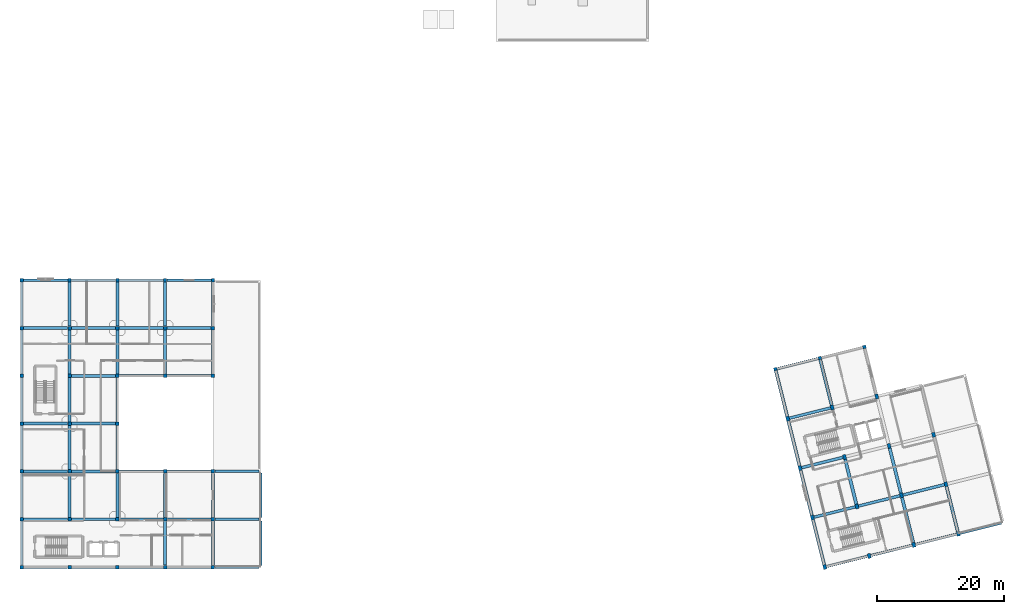
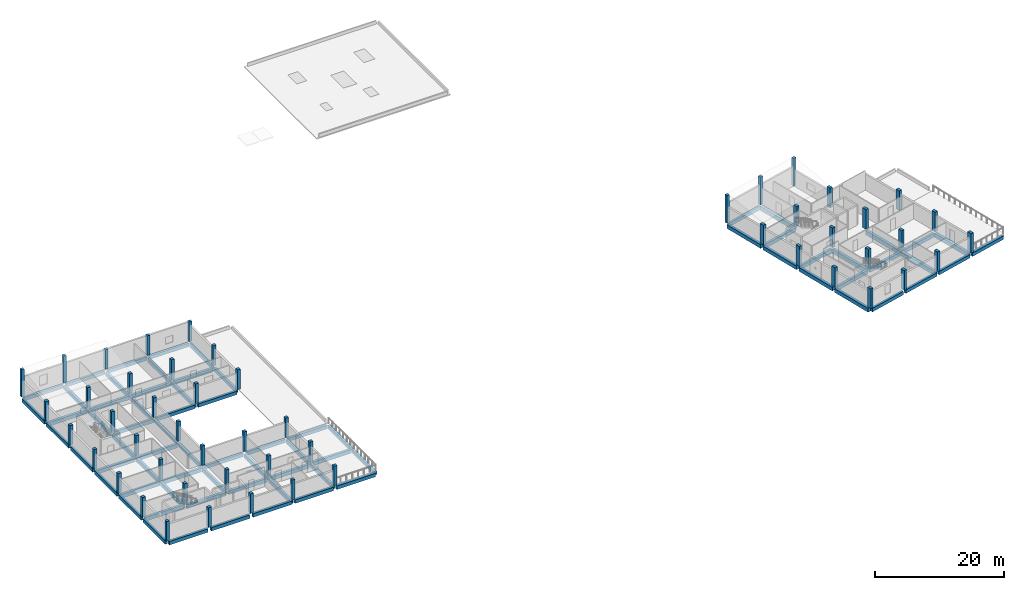
# One storey, part 1 of 14: 73 beams, 51 columns.
"""IFC4 building model written with IfcOpenShell, lengths in metres."""

from ifc_helpers import new_model, si_unit, direction, frame, origin, origin_2d, place, context, subcontext, project, spatial, rectangle, extrude, material, material_profile, profile_set, type_object, element, save


model = new_model("IFC4")

# Units and contexts
model_context = context("Model", 3, precision=1e-05, world=origin(), true_north=direction((0.0, 1.0)))
body_context = subcontext(model_context, "Body", "Model", "MODEL_VIEW")
ifc_project = project(units=[si_unit("LENGTHUNIT", "METRE"), si_unit("AREAUNIT", "SQUARE_METRE"), si_unit("VOLUMEUNIT", "CUBIC_METRE"), si_unit("PLANEANGLEUNIT", "RADIAN"), si_unit("MASSUNIT", "GRAM", prefix="KILO")], contexts=[model_context])

# Site, building, storey
site_placement = place(None, origin())
site = spatial("IfcSite", under=ifc_project, at=site_placement, CompositionType="ELEMENT")
building_placement = place(site_placement, origin())
building = spatial("IfcBuilding", under=site, at=building_placement, Name="Mawjan Specialist Oncology Clinic", CompositionType="ELEMENT")
storey_placement = place(building_placement, frame((0.0, 0.0, 17.5)))
storey = spatial("IfcBuildingStorey", under=building, at=storey_placement, Name="L04", CompositionType="ELEMENT", Elevation=17.5)

# Columns
ifc_material_1 = material(Name="Concrete C45/55", Category="concrete")
ifc_material_profile_1 = material_profile(ifc_material_1, rectangle(XDim=0.5, YDim=0.5, at=origin_2d()), Name="RC COL 500x500", Category="concrete")
ifc_profile_set_1 = profile_set([ifc_material_profile_1], Name="Concrete C45/55")
column_type_1 = type_object("IfcColumnType", Name="C-500", PredefinedType="COLUMN", material=ifc_profile_set_1)
for number, where, z_axis, x_axis, name in (
    (1, (0.0, 45.800048828125, 0.0), (0.0, 0.0, 1.0), (1.0, 0.0, 0.0), "L04 Column G-1-G"),
    (2, (7.5, 45.800048828125, 0.0), (0.0, 0.0, 1.0), (1.0, 0.0, 0.0), "L04 Column G-2-G"),
):
    element("IfcColumn", number, at=place(storey_placement, frame(where, z_axis=z_axis, x_axis=x_axis)), inside=storey, type_object=column_type_1, Name=name, PredefinedType="COLUMN", context=body_context, shape_type="SweptSolid", body=[
        extrude(rectangle(XDim=0.5, YDim=0.5, at=origin_2d()), origin(), (0.0, 0.0, 1.0), 5.156005859375),
    ])
for number, where, z_axis, x_axis, name in (
    (3, (15.0, 45.800048828125, 0.0), (0.0, 0.0, 1.0), (1.0, 0.0, 0.0), "L04 Column G-3-G"),
    (4, (22.5, 45.800048828125, 0.0), (0.0, 0.0, 1.0), (1.0, 0.0, 0.0), "L04 Column G-4-G"),
    (5, (30.0, 45.800048828125, 0.0), (0.0, 0.0, 1.0), (1.0, 0.0, 0.0), "L04 Column G-5-G"),
):
    element("IfcColumn", number, at=place(storey_placement, frame(where, z_axis=z_axis, x_axis=x_axis)), inside=storey, type_object=column_type_1, Name=name, PredefinedType="COLUMN", context=body_context, shape_type="SweptSolid", body=[
        extrude(rectangle(XDim=0.5, YDim=0.5, at=origin_2d()), origin(), (0.0, 0.0, 1.0), 3.719970703125),
    ])
for number, where, z_axis, x_axis, name in (
    (6, (118.258544921875, 31.849365234375, 0.0), (0.0, 0.0, 1.0), (0.970295726276, 0.2419218956, 0.0), "L04 Column R-RA-R5"),
    (7, (125.24462890625, 33.59130859375, 0.0), (0.0, 0.0, 1.0), (0.970295726276, 0.2419218956, 0.0), "L04 Column R-RB-R5"),
    (8, (132.230712890625, 35.333251953125, 0.0), (0.0, 0.0, 1.0), (0.970295726276, 0.2419218956, 0.0), "L04 Column R-RC-R5"),
):
    element("IfcColumn", number, at=place(storey_placement, frame(where, z_axis=z_axis, x_axis=x_axis)), inside=storey, type_object=column_type_1, Name=name, PredefinedType="COLUMN", context=body_context, shape_type="SweptSolid", body=[
        extrude(rectangle(XDim=0.5, YDim=0.5, at=origin_2d()), origin(), (0.0, 0.0, 1.0), 5.24609375),
    ])
ifc_material_2 = material(Name="Concrete C45/55", Category="concrete")
ifc_material_profile_2 = material_profile(ifc_material_2, rectangle(XDim=0.5, YDim=0.75, at=origin_2d()), Name="RC COL 500x750", Category="concrete")
ifc_profile_set_2 = profile_set([ifc_material_profile_2], Name="Concrete C45/55")
column_type_2 = type_object("IfcColumnType", Name="C-500x750", PredefinedType="COLUMN", material=ifc_profile_set_2)
for number, where, z_axis, x_axis, name in (
    (9, (126.0, 0.800048828125, 0.0), (0.0, 0.0, 1.0), (0.970295726276, 0.2419218956, 0.0), "L04 Column R-RA-R1"),
    (10, (124.064697265625, 8.562255859375, 0.0), (0.0, 0.0, 1.0), (0.970295726276, 0.2419218956, 0.0), "L04 Column R-RA-R2"),
    (11, (122.129150390625, 16.32470703125, 0.0), (0.0, 0.0, 1.0), (0.970295726276, 0.2419218956, 0.0), "L04 Column R-RA-R3"),
    (12, (120.19384765625, 24.087158203125, 0.0), (0.0, 0.0, 1.0), (0.970295726276, 0.2419218956, 0.0), "L04 Column R-RA-R4"),
    (13, (132.986083984375, 2.541748046875, 0.0), (0.0, 0.0, 1.0), (0.970295726276, 0.2419218956, 0.0), "L04 Column R-RB-R1"),
    (14, (131.05078125, 10.30419921875, 0.0), (0.0, 0.0, 1.0), (0.970295726276, 0.2419218956, 0.0), "L04 Column R-RB-R2"),
    (15, (129.115478515625, 18.066650390625, 0.0), (0.0, 0.0, 1.0), (0.970295726276, 0.2419218956, 0.0), "L04 Column R-RB-R3"),
    (16, (127.179931640625, 25.828857421875, 0.0), (0.0, 0.0, 1.0), (0.970295726276, 0.2419218956, 0.0), "L04 Column R-RB-R4"),
    (17, (139.97216796875, 4.28369140625, 0.0), (0.0, 0.0, 1.0), (0.970295726276, 0.2419218956, 0.0), "L04 Column R-RC-R1"),
    (18, (138.036865234375, 12.046142578125, 0.0), (0.0, 0.0, 1.0), (0.970295726276, 0.2419218956, 0.0), "L04 Column R-RC-R2"),
    (19, (136.1015625, 19.808349609375, 0.0), (0.0, 0.0, 1.0), (0.970295726276, 0.2419218956, 0.0), "L04 Column R-RC-R3"),
    (20, (134.166015625, 27.57080078125, 0.0), (0.0, 0.0, 1.0), (0.970295726276, 0.2419218956, 0.0), "L04 Column R-RC-R4"),
    (21, (146.95849609375, 6.025634765625, 0.0), (0.0, 0.0, 1.0), (0.970295726276, 0.2419218956, 0.0), "L04 Column R-RD-R1"),
    (22, (145.02294921875, 13.787841796875, 0.0), (0.0, 0.0, 1.0), (0.970295726276, 0.2419218956, 0.0), "L04 Column R-RD-R2"),
    (23, (143.087646484375, 21.55029296875, 0.0), (0.0, 0.0, 1.0), (0.970295726276, 0.2419218956, 0.0), "L04 Column R-RD-R3"),
):
    element("IfcColumn", number, at=place(storey_placement, frame(where, z_axis=z_axis, x_axis=x_axis)), inside=storey, type_object=column_type_2, Name=name, PredefinedType="COLUMN", context=body_context, shape_type="SweptSolid", body=[
        extrude(rectangle(XDim=0.5, YDim=0.75, at=origin_2d()), origin(), (0.0, 0.0, 1.0), 3.719970703125),
    ])
ifc_material_3 = material(Name="Concrete C45/55", Category="concrete")
ifc_material_profile_3 = material_profile(ifc_material_3, rectangle(XDim=0.550048828125, YDim=0.550048828125, at=origin_2d()), Name="RC COL 550x550", Category="concrete")
ifc_profile_set_3 = profile_set([ifc_material_profile_3], Name="Concrete C45/55")
column_type_3 = type_object("IfcColumnType", Name="C-550", PredefinedType="COLUMN", material=ifc_profile_set_3)
for number, where, z_axis, x_axis, name in (
    (24, (0.0, 0.800048828125, 0.0), (0.0, 0.0, 1.0), (1.0, 0.0, 0.0), "L04 Column G-1-A"),
    (25, (0.0, 8.300048828125, 0.0), (0.0, 0.0, 1.0), (1.0, 0.0, 0.0), "L04 Column G-1-B"),
    (26, (0.0, 15.800048828125, 0.0), (0.0, 0.0, 1.0), (1.0, 0.0, 0.0), "L04 Column G-1-C"),
    (27, (0.0, 23.300048828125, 0.0), (0.0, 0.0, 1.0), (1.0, 0.0, 0.0), "L04 Column G-1-D"),
    (28, (0.0, 30.800048828125, 0.0), (0.0, 0.0, 1.0), (1.0, 0.0, 0.0), "L04 Column G-1-E"),
    (29, (0.0, 38.300048828125, 0.0), (0.0, 0.0, 1.0), (1.0, 0.0, 0.0), "L04 Column G-1-F"),
    (30, (7.5, 0.800048828125, 0.0), (0.0, 0.0, 1.0), (1.0, 0.0, 0.0), "L04 Column G-2-A"),
    (31, (7.5, 8.300048828125, 0.0), (0.0, 0.0, 1.0), (1.0, 0.0, 0.0), "L04 Column G-2-B"),
    (32, (7.5, 15.800048828125, 0.0), (0.0, 0.0, 1.0), (1.0, 0.0, 0.0), "L04 Column G-2-C"),
    (33, (7.5, 23.300048828125, 0.0), (0.0, 0.0, 1.0), (1.0, 0.0, 0.0), "L04 Column G-2-D"),
    (34, (7.5, 30.800048828125, 0.0), (0.0, 0.0, 1.0), (1.0, 0.0, 0.0), "L04 Column G-2-E"),
    (35, (7.5, 38.300048828125, 0.0), (0.0, 0.0, 1.0), (1.0, 0.0, 0.0), "L04 Column G-2-F"),
    (36, (15.0, 0.800048828125, 0.0), (0.0, 0.0, 1.0), (1.0, 0.0, 0.0), "L04 Column G-3-A"),
    (37, (15.0, 8.300048828125, 0.0), (0.0, 0.0, 1.0), (1.0, 0.0, 0.0), "L04 Column G-3-B"),
    (38, (15.0, 15.800048828125, 0.0), (0.0, 0.0, 1.0), (1.0, 0.0, 0.0), "L04 Column G-3-C"),
    (39, (15.0, 23.300048828125, 0.0), (0.0, 0.0, 1.0), (1.0, 0.0, 0.0), "L04 Column G-3-D"),
    (40, (15.0, 30.800048828125, 0.0), (0.0, 0.0, 1.0), (1.0, 0.0, 0.0), "L04 Column G-3-E"),
    (41, (15.0, 38.300048828125, 0.0), (0.0, 0.0, 1.0), (1.0, 0.0, 0.0), "L04 Column G-3-F"),
    (42, (22.5, 0.800048828125, 0.0), (0.0, 0.0, 1.0), (1.0, 0.0, 0.0), "L04 Column G-4-A"),
    (43, (22.5, 8.300048828125, 0.0), (0.0, 0.0, 1.0), (1.0, 0.0, 0.0), "L04 Column G-4-B"),
    (44, (22.5, 15.800048828125, 0.0), (0.0, 0.0, 1.0), (1.0, 0.0, 0.0), "L04 Column G-4-C"),
):
    element("IfcColumn", number, at=place(storey_placement, frame(where, z_axis=z_axis, x_axis=x_axis)), inside=storey, type_object=column_type_3, Name=name, PredefinedType="COLUMN", context=body_context, shape_type="SweptSolid", body=[
        extrude(rectangle(XDim=0.550048828125, YDim=0.550048828125, at=origin_2d()), origin(), (0.0, 0.0, 1.0), 3.719970703125),
    ])
for number, where, z_axis, x_axis, name in (
    (45, (22.5, 30.800048828125, 0.0), (0.0, 0.0, 1.0), (1.0, 0.0, 0.0), "L04 Column G-4-E"),
    (46, (22.5, 38.300048828125, 0.0), (0.0, 0.0, 1.0), (1.0, 0.0, 0.0), "L04 Column G-4-F"),
):
    element("IfcColumn", number, at=place(storey_placement, frame(where, z_axis=z_axis, x_axis=x_axis)), inside=storey, type_object=column_type_3, Name=name, PredefinedType="COLUMN", context=body_context, shape_type="SweptSolid", body=[
        extrude(rectangle(XDim=0.550048828125, YDim=0.550048828125, at=origin_2d()), origin(), (0.0, 0.0, 1.0), 3.75),
    ])
for number, where, z_axis, x_axis, name in (
    (47, (30.0, 0.800048828125, 0.0), (0.0, 0.0, 1.0), (1.0, 0.0, 0.0), "L04 Column G-5-A"),
    (48, (30.0, 8.300048828125, 0.0), (0.0, 0.0, 1.0), (1.0, 0.0, 0.0), "L04 Column G-5-B"),
    (49, (30.0, 15.800048828125, 0.0), (0.0, 0.0, 1.0), (1.0, 0.0, 0.0), "L04 Column G-5-C"),
):
    element("IfcColumn", number, at=place(storey_placement, frame(where, z_axis=z_axis, x_axis=x_axis)), inside=storey, type_object=column_type_3, Name=name, PredefinedType="COLUMN", context=body_context, shape_type="SweptSolid", body=[
        extrude(rectangle(XDim=0.550048828125, YDim=0.550048828125, at=origin_2d()), origin(), (0.0, 0.0, 1.0), 3.719970703125),
    ])
for number, where, z_axis, x_axis, name in (
    (50, (30.0, 30.800048828125, 0.0), (0.0, 0.0, 1.0), (1.0, 0.0, 0.0), "L04 Column G-5-E"),
    (51, (30.0, 38.300048828125, 0.0), (0.0, 0.0, 1.0), (1.0, 0.0, 0.0), "L04 Column G-5-F"),
):
    element("IfcColumn", number, at=place(storey_placement, frame(where, z_axis=z_axis, x_axis=x_axis)), inside=storey, type_object=column_type_3, Name=name, PredefinedType="COLUMN", context=body_context, shape_type="SweptSolid", body=[
        extrude(rectangle(XDim=0.550048828125, YDim=0.550048828125, at=origin_2d()), origin(), (0.0, 0.0, 1.0), 3.75),
    ])

# Beams
ifc_material_4 = material(Name="Concrete C40/50", Category="concrete")
ifc_material_profile_4 = material_profile(ifc_material_4, rectangle(XDim=0.449951171875, YDim=0.699951171875, at=origin_2d()), Name="RC BM 450x700", Category="concrete")
ifc_profile_set_4 = profile_set([ifc_material_profile_4], Name="Concrete C40/50")
beam_type_1 = type_object("IfcBeamType", Name="BM-450x700", PredefinedType="BEAM", material=ifc_profile_set_4)
for number, where, z_axis, x_axis, name in (
    (52, (0.284912109375, 8.300048828125, -0.6298828125), (1.0, 0.0, 0.0), (0.0, 1.0, 0.0), "L04 Collector Beam BM-L04-1079"),
    (53, (7.784912109375, 8.300048828125, -0.830078125), (1.0, 0.0, 0.0), (0.0, 1.0, 0.0), "L04 Collector Beam BM-L04-1080"),
    (54, (15.284912109375, 8.300048828125, -0.830078125), (1.0, 0.0, 0.0), (0.0, 1.0, 0.0), "L04 Collector Beam BM-L04-1081"),
    (55, (22.784912109375, 8.300048828125, -0.830078125), (1.0, 0.0, 0.0), (0.0, 1.0, 0.0), "L04 Collector Beam BM-L04-1082"),
):
    element("IfcBeam", number, at=place(storey_placement, frame(where, z_axis=z_axis, x_axis=x_axis)), inside=storey, type_object=beam_type_1, Name=name, PredefinedType="BEAM", context=body_context, shape_type="SweptSolid", body=[
        extrude(rectangle(XDim=0.449951171875, YDim=0.699951171875, at=origin_2d()), origin(), (0.0, 0.0, 1.0), 6.93017578125),
    ])
beam_1_placement = place(storey_placement, frame((30.284912109375, 8.300048828125, -0.6298828125), z_axis=(1.0, 0.0, 0.0), x_axis=(0.0, 1.0, 0.0)))
element("IfcBeam", 56, at=beam_1_placement, inside=storey, type_object=beam_type_1, Name="L04 Collector Beam BM-L04-1083", PredefinedType="BEAM", context=body_context, shape_type="SweptSolid", body=[
    extrude(rectangle(XDim=0.449951171875, YDim=0.699951171875, at=origin_2d()), origin(), (0.0, 0.0, 1.0), 6.955078125),
])
for number, where, z_axis, x_axis, name in (
    (57, (0.284912109375, 15.800048828125, -0.830078125), (1.0, 0.0, 0.0), (0.0, 1.0, 0.0), "L04 Collector Beam BM-L04-1084"),
    (58, (7.784912109375, 15.800048828125, -0.830078125), (1.0, 0.0, 0.0), (0.0, 1.0, 0.0), "L04 Collector Beam BM-L04-1085"),
    (59, (0.284912109375, 23.300048828125, -0.830078125), (1.0, 0.0, 0.0), (0.0, 1.0, 0.0), "L04 Collector Beam BM-L04-1089"),
    (60, (7.784912109375, 23.300048828125, -0.830078125), (1.0, 0.0, 0.0), (0.0, 1.0, 0.0), "L04 Collector Beam BM-L04-1090"),
    (61, (7.784912109375, 30.800048828125, -0.6298828125), (1.0, 0.0, 0.0), (0.0, 1.0, 0.0), "L04 Collector Beam BM-L04-1091"),
    (62, (0.284912109375, 38.300048828125, -0.830078125), (1.0, 0.0, 0.0), (0.0, 1.0, 0.0), "L04 Collector Beam BM-L04-1094"),
    (63, (7.784912109375, 38.300048828125, -0.830078125), (1.0, 0.0, 0.0), (0.0, 1.0, 0.0), "L04 Collector Beam BM-L04-1095"),
    (64, (15.284912109375, 38.300048828125, -0.830078125), (1.0, 0.0, 0.0), (0.0, 1.0, 0.0), "L04 Collector Beam BM-L04-1096"),
    (65, (22.784912109375, 38.300048828125, -0.830078125), (1.0, 0.0, 0.0), (0.0, 1.0, 0.0), "L04 Collector Beam BM-L04-1097"),
):
    element("IfcBeam", number, at=place(storey_placement, frame(where, z_axis=z_axis, x_axis=x_axis)), inside=storey, type_object=beam_type_1, Name=name, PredefinedType="BEAM", context=body_context, shape_type="SweptSolid", body=[
        extrude(rectangle(XDim=0.449951171875, YDim=0.699951171875, at=origin_2d()), origin(), (0.0, 0.0, 1.0), 6.93017578125),
    ])
for number, where, z_axis, x_axis, name in (
    (66, (7.5, 8.5849609375, -0.830078125), (0.0, 1.0, 0.0), (-1.0, 0.0, 0.0), "L04 Collector Beam BM-L04-1108"),
    (67, (7.5, 16.0849609375, -0.830078125), (0.0, 1.0, 0.0), (-1.0, 0.0, 0.0), "L04 Collector Beam BM-L04-1109"),
    (68, (7.5, 23.5849609375, -0.830078125), (0.0, 1.0, 0.0), (-1.0, 0.0, 0.0), "L04 Collector Beam BM-L04-1110"),
    (69, (7.5, 31.0849609375, -0.830078125), (0.0, 1.0, 0.0), (-1.0, 0.0, 0.0), "L04 Collector Beam BM-L04-1111"),
):
    element("IfcBeam", number, at=place(storey_placement, frame(where, z_axis=z_axis, x_axis=x_axis)), inside=storey, type_object=beam_type_1, Name=name, PredefinedType="BEAM", context=body_context, shape_type="SweptSolid", body=[
        extrude(rectangle(XDim=0.449951171875, YDim=0.699951171875, at=origin_2d()), origin(), (0.0, 0.0, 1.0), 6.929931640625),
    ])
beam_2_placement = place(storey_placement, frame((7.5, 38.5849609375, -0.830078125), z_axis=(0.0, 1.0, 0.0), x_axis=(-1.0, 0.0, 0.0)))
element("IfcBeam", 70, at=beam_2_placement, inside=storey, type_object=beam_type_1, Name="L04 Collector Beam BM-L04-1112", PredefinedType="BEAM", context=body_context, shape_type="SweptSolid", body=[
    extrude(rectangle(XDim=0.449951171875, YDim=0.699951171875, at=origin_2d()), origin(), (0.0, 0.0, 1.0), 6.955078125),
])
for number, where, z_axis, x_axis, name in (
    (71, (15.0, 8.5849609375, -0.830078125), (0.0, 1.0, 0.0), (-1.0, 0.0, 0.0), "L04 Collector Beam BM-L04-1113"),
    (72, (15.0, 31.0849609375, -0.830078125), (0.0, 1.0, 0.0), (-1.0, 0.0, 0.0), "L04 Collector Beam BM-L04-1116"),
):
    element("IfcBeam", number, at=place(storey_placement, frame(where, z_axis=z_axis, x_axis=x_axis)), inside=storey, type_object=beam_type_1, Name=name, PredefinedType="BEAM", context=body_context, shape_type="SweptSolid", body=[
        extrude(rectangle(XDim=0.449951171875, YDim=0.699951171875, at=origin_2d()), origin(), (0.0, 0.0, 1.0), 6.929931640625),
    ])
beam_3_placement = place(storey_placement, frame((15.0, 38.5849609375, -0.830078125), z_axis=(0.0, 1.0, 0.0), x_axis=(-1.0, 0.0, 0.0)))
element("IfcBeam", 73, at=beam_3_placement, inside=storey, type_object=beam_type_1, Name="L04 Collector Beam BM-L04-1117", PredefinedType="BEAM", context=body_context, shape_type="SweptSolid", body=[
    extrude(rectangle(XDim=0.449951171875, YDim=0.699951171875, at=origin_2d()), origin(), (0.0, 0.0, 1.0), 6.955078125),
])
for number, where, z_axis, x_axis, name in (
    (74, (22.5, 1.0849609375, -0.830078125), (0.0, 1.0, 0.0), (-1.0, 0.0, 0.0), "L04 Collector Beam BM-L04-1118"),
    (75, (22.5, 8.5849609375, -0.830078125), (0.0, 1.0, 0.0), (-1.0, 0.0, 0.0), "L04 Collector Beam BM-L04-1119"),
    (76, (22.5, 31.0849609375, -0.830078125), (0.0, 1.0, 0.0), (-1.0, 0.0, 0.0), "L04 Collector Beam BM-L04-1120"),
):
    element("IfcBeam", number, at=place(storey_placement, frame(where, z_axis=z_axis, x_axis=x_axis)), inside=storey, type_object=beam_type_1, Name=name, PredefinedType="BEAM", context=body_context, shape_type="SweptSolid", body=[
        extrude(rectangle(XDim=0.449951171875, YDim=0.699951171875, at=origin_2d()), origin(), (0.0, 0.0, 1.0), 6.929931640625),
    ])
beam_4_placement = place(storey_placement, frame((22.5, 38.5849609375, -0.830078125), z_axis=(0.0, 1.0, 0.0), x_axis=(-1.0, 0.0, 0.0)))
element("IfcBeam", 77, at=beam_4_placement, inside=storey, type_object=beam_type_1, Name="L04 Collector Beam BM-L04-1121", PredefinedType="BEAM", context=body_context, shape_type="SweptSolid", body=[
    extrude(rectangle(XDim=0.449951171875, YDim=0.699951171875, at=origin_2d()), origin(), (0.0, 0.0, 1.0), 6.955078125),
])
for number, where, z_axis, x_axis, name in (
    (78, (30.0, 1.0849609375, -0.6298828125), (0.0, 1.0, 0.0), (-1.0, 0.0, 0.0), "L04 Collector Beam BM-L04-1122"),
    (79, (30.0, 8.5849609375, -0.6298828125), (0.0, 1.0, 0.0), (-1.0, 0.0, 0.0), "L04 Collector Beam BM-L04-1123"),
):
    element("IfcBeam", number, at=place(storey_placement, frame(where, z_axis=z_axis, x_axis=x_axis)), inside=storey, type_object=beam_type_1, Name=name, PredefinedType="BEAM", context=body_context, shape_type="SweptSolid", body=[
        extrude(rectangle(XDim=0.449951171875, YDim=0.699951171875, at=origin_2d()), origin(), (0.0, 0.0, 1.0), 6.929931640625),
    ])
for number, where, z_axis, x_axis, name in (
    (80, (124.31689453125, 8.625244140625, -0.6298828125), (0.970299236251, 0.241907817422, 0.0), (-0.241907817422, 0.970299236251, 0.0), "L04 Collector Beam BM-L04-1132"),
    (81, (131.302978515625, 10.3671875, -0.6298828125), (0.970299236251, 0.241907817422, 0.0), (-0.241907817422, 0.970299236251, 0.0), "L04 Collector Beam BM-L04-1133"),
    (82, (138.2890625, 12.10888671875, -0.6298828125), (0.970290657182, 0.241942225716, 0.0), (-0.241942225716, 0.970290657182, 0.0), "L04 Collector Beam BM-L04-1134"),
):
    element("IfcBeam", number, at=place(storey_placement, frame(where, z_axis=z_axis, x_axis=x_axis)), inside=storey, type_object=beam_type_1, Name=name, PredefinedType="BEAM", context=body_context, shape_type="SweptSolid", body=[
        extrude(rectangle(XDim=0.449951171875, YDim=0.699951171875, at=origin_2d()), origin(), (0.0, 0.0, 1.0), 6.68017578125),
    ])
beam_5_placement = place(storey_placement, frame((122.381591796875, 16.3876953125, -0.6298828125), z_axis=(0.970297097401, 0.241916396252, 0.0), x_axis=(-0.241916396252, 0.970297097401, 0.0)))
element("IfcBeam", 83, at=beam_5_placement, inside=storey, type_object=beam_type_1, Name="L04 Collector Beam BM-L04-1136", PredefinedType="BEAM", context=body_context, shape_type="SweptSolid", body=[
    extrude(rectangle(XDim=0.449951171875, YDim=0.699951171875, at=origin_2d()), origin(), (0.0, 0.0, 1.0), 6.679931640625),
])
beam_6_placement = place(storey_placement, frame((120.446044921875, 24.14990234375, -0.6298828125), z_axis=(0.970290657182, 0.241942225716, 0.0), x_axis=(-0.241942225716, 0.970290657182, 0.0)))
element("IfcBeam", 84, at=beam_6_placement, inside=storey, type_object=beam_type_1, Name="L04 Collector Beam BM-L04-1140", PredefinedType="BEAM", context=body_context, shape_type="SweptSolid", body=[
    extrude(rectangle(XDim=0.449951171875, YDim=0.699951171875, at=origin_2d()), origin(), (0.0, 0.0, 1.0), 6.68017578125),
])
ifc_material_5 = material(Name="Concrete C45/55", Category="concrete")
ifc_material_profile_5 = material_profile(ifc_material_5, rectangle(XDim=0.5, YDim=0.800048828125, at=origin_2d()), Name="RC BM 500x800", Category="concrete")
ifc_profile_set_5 = profile_set([ifc_material_profile_5], Name="Concrete C45/55")
beam_type_2 = type_object("IfcBeamType", Name="BM-500x800", PredefinedType="BEAM", material=ifc_profile_set_5)
beam_7_placement = place(storey_placement, frame((130.98779296875, 10.556396484375, -0.679931640625), z_axis=(-0.241921192876, 0.970295901485, 0.0), x_axis=(-0.970295901485, -0.241921192876, 0.0)))
element("IfcBeam", 85, at=beam_7_placement, inside=storey, type_object=beam_type_2, Name="L04 Collector Beam BM-L04-1149", PredefinedType="BEAM", context=body_context, shape_type="SweptSolid", body=[
    extrude(rectangle(XDim=0.5, YDim=0.800048828125, at=origin_2d()), origin(), (0.0, 0.0, 1.0), 7.47998046875),
])
beam_8_placement = place(storey_placement, frame((127.1171875, 26.081298828125, -0.679931640625), z_axis=(-0.241930889434, 0.970293483817, 0.0), x_axis=(-0.970293483817, -0.241930889434, 0.0)))
element("IfcBeam", 86, at=beam_8_placement, inside=storey, type_object=beam_type_2, Name="L04 Collector Beam BM-L04-1150", PredefinedType="BEAM", context=body_context, shape_type="SweptSolid", body=[
    extrude(rectangle(XDim=0.5, YDim=0.800048828125, at=origin_2d()), origin(), (0.0, 0.0, 1.0), 7.5048828125),
])
for number, where, z_axis, x_axis, name in (
    (87, (139.909423828125, 4.535888671875, -0.679931640625), (-0.241921192876, 0.970295901485, 0.0), (-0.970295901485, -0.241921192876, 0.0), "L04 Collector Beam BM-L04-1151"),
    (88, (137.973876953125, 12.29833984375, -0.679931640625), (-0.241921192876, 0.970295901485, 0.0), (-0.970295901485, -0.241921192876, 0.0), "L04 Collector Beam BM-L04-1152"),
    (89, (146.8955078125, 6.27783203125, -0.679931640625), (-0.241921192876, 0.970295901485, 0.0), (-0.970295901485, -0.241921192876, 0.0), "L04 Collector Beam BM-L04-1155"),
):
    element("IfcBeam", number, at=place(storey_placement, frame(where, z_axis=z_axis, x_axis=x_axis)), inside=storey, type_object=beam_type_2, Name=name, PredefinedType="BEAM", context=body_context, shape_type="SweptSolid", body=[
        extrude(rectangle(XDim=0.5, YDim=0.800048828125, at=origin_2d()), origin(), (0.0, 0.0, 1.0), 7.47998046875),
    ])
ifc_material_6 = material(Name="Concrete C45/55", Category="concrete")
ifc_material_profile_6 = material_profile(ifc_material_6, rectangle(XDim=0.39990234375, YDim=0.64990234375, at=origin_2d()), Name="RC BM 400x650", Category="concrete")
ifc_profile_set_6 = profile_set([ifc_material_profile_6], Name="Concrete C45/55")
beam_type_3 = type_object("IfcBeamType", Name="SP-400x650", PredefinedType="SPANDREL", material=ifc_profile_set_6)
for number, where, z_axis, x_axis, name in (
    (90, (0.284912109375, 0.800048828125, -0.60498046875), (1.0, 0.0, 0.0), (0.0, 1.0, 0.0), "L04 Spandrel Beam BM-L04-1074"),
    (91, (7.784912109375, 0.800048828125, -0.60498046875), (1.0, 0.0, 0.0), (0.0, 1.0, 0.0), "L04 Spandrel Beam BM-L04-1075"),
    (92, (15.284912109375, 0.800048828125, -0.60498046875), (1.0, 0.0, 0.0), (0.0, 1.0, 0.0), "L04 Spandrel Beam BM-L04-1076"),
    (93, (22.784912109375, 0.800048828125, -0.60498046875), (1.0, 0.0, 0.0), (0.0, 1.0, 0.0), "L04 Spandrel Beam BM-L04-1077"),
):
    element("IfcBeam", number, at=place(storey_placement, frame(where, z_axis=z_axis, x_axis=x_axis)), inside=storey, type_object=beam_type_3, Name=name, PredefinedType="SPANDREL", context=body_context, shape_type="SweptSolid", body=[
        extrude(rectangle(XDim=0.39990234375, YDim=0.64990234375, at=origin_2d()), origin(), (0.0, 0.0, 1.0), 6.93017578125),
    ])
beam_9_placement = place(storey_placement, frame((30.284912109375, 0.800048828125, -0.60498046875), z_axis=(1.0, 0.0, 0.0), x_axis=(0.0, 1.0, 0.0)))
element("IfcBeam", 94, at=beam_9_placement, inside=storey, type_object=beam_type_3, Name="L04 Spandrel Beam BM-L04-1078", PredefinedType="SPANDREL", context=body_context, shape_type="SweptSolid", body=[
    extrude(rectangle(XDim=0.39990234375, YDim=0.64990234375, at=origin_2d()), origin(), (0.0, 0.0, 1.0), 6.955078125),
])
for number, where, z_axis, x_axis, name in (
    (95, (15.284912109375, 15.800048828125, -0.60498046875), (1.0, 0.0, 0.0), (0.0, 1.0, 0.0), "L04 Spandrel Beam BM-L04-1086"),
    (96, (22.784912109375, 15.800048828125, -0.60498046875), (1.0, 0.0, 0.0), (0.0, 1.0, 0.0), "L04 Spandrel Beam BM-L04-1087"),
):
    element("IfcBeam", number, at=place(storey_placement, frame(where, z_axis=z_axis, x_axis=x_axis)), inside=storey, type_object=beam_type_3, Name=name, PredefinedType="SPANDREL", context=body_context, shape_type="SweptSolid", body=[
        extrude(rectangle(XDim=0.39990234375, YDim=0.64990234375, at=origin_2d()), origin(), (0.0, 0.0, 1.0), 6.93017578125),
    ])
beam_10_placement = place(storey_placement, frame((30.284912109375, 15.800048828125, -0.60498046875), z_axis=(1.0, 0.0, 0.0), x_axis=(0.0, 1.0, 0.0)))
element("IfcBeam", 97, at=beam_10_placement, inside=storey, type_object=beam_type_3, Name="L04 Spandrel Beam BM-L04-1088", PredefinedType="SPANDREL", context=body_context, shape_type="SweptSolid", body=[
    extrude(rectangle(XDim=0.39990234375, YDim=0.64990234375, at=origin_2d()), origin(), (0.0, 0.0, 1.0), 6.955078125),
])
for number, where, z_axis, x_axis, name in (
    (98, (15.284912109375, 30.800048828125, -0.60498046875), (1.0, 0.0, 0.0), (0.0, 1.0, 0.0), "L04 Spandrel Beam BM-L04-1092"),
    (99, (22.784912109375, 30.800048828125, -0.60498046875), (1.0, 0.0, 0.0), (0.0, 1.0, 0.0), "L04 Spandrel Beam BM-L04-1093"),
):
    element("IfcBeam", number, at=place(storey_placement, frame(where, z_axis=z_axis, x_axis=x_axis)), inside=storey, type_object=beam_type_3, Name=name, PredefinedType="SPANDREL", context=body_context, shape_type="SweptSolid", body=[
        extrude(rectangle(XDim=0.39990234375, YDim=0.64990234375, at=origin_2d()), origin(), (0.0, 0.0, 1.0), 6.93017578125),
    ])
for number, where, z_axis, x_axis, name in (
    (100, (0.260009765625, 45.800048828125, -0.60498046875), (1.0, 0.0, 0.0), (0.0, 1.0, 0.0), "L04 Spandrel Beam BM-L04-1098"),
    (101, (7.760009765625, 45.800048828125, -0.60498046875), (1.0, 0.0, 0.0), (0.0, 1.0, 0.0), "L04 Spandrel Beam BM-L04-1099"),
    (102, (15.260009765625, 45.800048828125, -0.60498046875), (1.0, 0.0, 0.0), (0.0, 1.0, 0.0), "L04 Spandrel Beam BM-L04-1100"),
    (103, (22.760009765625, 45.800048828125, -0.60498046875), (1.0, 0.0, 0.0), (0.0, 1.0, 0.0), "L04 Spandrel Beam BM-L04-1101"),
):
    element("IfcBeam", number, at=place(storey_placement, frame(where, z_axis=z_axis, x_axis=x_axis)), inside=storey, type_object=beam_type_3, Name=name, PredefinedType="SPANDREL", context=body_context, shape_type="SweptSolid", body=[
        extrude(rectangle(XDim=0.39990234375, YDim=0.64990234375, at=origin_2d()), origin(), (0.0, 0.0, 1.0), 6.97998046875),
    ])
for number, where, z_axis, x_axis, name in (
    (104, (0.0, 1.0849609375, -0.60498046875), (0.0, 1.0, 0.0), (-1.0, 0.0, 0.0), "L04 Spandrel Beam BM-L04-1102"),
    (105, (0.0, 8.5849609375, -0.60498046875), (0.0, 1.0, 0.0), (-1.0, 0.0, 0.0), "L04 Spandrel Beam BM-L04-1103"),
    (106, (0.0, 16.0849609375, -0.60498046875), (0.0, 1.0, 0.0), (-1.0, 0.0, 0.0), "L04 Spandrel Beam BM-L04-1104"),
    (107, (0.0, 23.5849609375, -0.60498046875), (0.0, 1.0, 0.0), (-1.0, 0.0, 0.0), "L04 Spandrel Beam BM-L04-1105"),
    (108, (0.0, 31.0849609375, -0.60498046875), (0.0, 1.0, 0.0), (-1.0, 0.0, 0.0), "L04 Spandrel Beam BM-L04-1106"),
):
    element("IfcBeam", number, at=place(storey_placement, frame(where, z_axis=z_axis, x_axis=x_axis)), inside=storey, type_object=beam_type_3, Name=name, PredefinedType="SPANDREL", context=body_context, shape_type="SweptSolid", body=[
        extrude(rectangle(XDim=0.39990234375, YDim=0.64990234375, at=origin_2d()), origin(), (0.0, 0.0, 1.0), 6.929931640625),
    ])
beam_11_placement = place(storey_placement, frame((0.0, 38.5849609375, -0.60498046875), z_axis=(0.0, 1.0, 0.0), x_axis=(-1.0, 0.0, 0.0)))
element("IfcBeam", 109, at=beam_11_placement, inside=storey, type_object=beam_type_3, Name="L04 Spandrel Beam BM-L04-1107", PredefinedType="SPANDREL", context=body_context, shape_type="SweptSolid", body=[
    extrude(rectangle(XDim=0.39990234375, YDim=0.64990234375, at=origin_2d()), origin(), (0.0, 0.0, 1.0), 6.955078125),
])
for number, where, z_axis, x_axis, name in (
    (110, (15.0, 16.0849609375, -0.60498046875), (0.0, 1.0, 0.0), (-1.0, 0.0, 0.0), "L04 Spandrel Beam BM-L04-1114"),
    (111, (15.0, 23.5849609375, -0.60498046875), (0.0, 1.0, 0.0), (-1.0, 0.0, 0.0), "L04 Spandrel Beam BM-L04-1115"),
    (112, (30.0, 31.0849609375, -0.60498046875), (0.0, 1.0, 0.0), (-1.0, 0.0, 0.0), "L04 Spandrel Beam BM-L04-1124"),
):
    element("IfcBeam", number, at=place(storey_placement, frame(where, z_axis=z_axis, x_axis=x_axis)), inside=storey, type_object=beam_type_3, Name=name, PredefinedType="SPANDREL", context=body_context, shape_type="SweptSolid", body=[
        extrude(rectangle(XDim=0.39990234375, YDim=0.64990234375, at=origin_2d()), origin(), (0.0, 0.0, 1.0), 6.929931640625),
    ])
beam_12_placement = place(storey_placement, frame((30.0, 38.5849609375, -0.60498046875), z_axis=(0.0, 1.0, 0.0), x_axis=(-1.0, 0.0, 0.0)))
element("IfcBeam", 113, at=beam_12_placement, inside=storey, type_object=beam_type_3, Name="L04 Spandrel Beam BM-L04-1125", PredefinedType="SPANDREL", context=body_context, shape_type="SweptSolid", body=[
    extrude(rectangle(XDim=0.39990234375, YDim=0.64990234375, at=origin_2d()), origin(), (0.0, 0.0, 1.0), 6.955078125),
])
for number, where, z_axis, x_axis, name in (
    (114, (37.5, 1.06005859375, -0.574951171875), (0.0, 1.0, 0.0), (-1.0, 0.0, 0.0), "L04 Spandrel Beam BM-L04-1126"),
    (115, (37.5, 8.56005859375, -0.574951171875), (0.0, 1.0, 0.0), (-1.0, 0.0, 0.0), "L04 Spandrel Beam BM-L04-1127"),
):
    element("IfcBeam", number, at=place(storey_placement, frame(where, z_axis=z_axis, x_axis=x_axis)), inside=storey, type_object=beam_type_3, Name=name, PredefinedType="SPANDREL", context=body_context, shape_type="SweptSolid", body=[
        extrude(rectangle(XDim=0.39990234375, YDim=0.64990234375, at=origin_2d()), origin(), (0.0, 0.0, 1.0), 6.97998046875),
    ])
beam_13_placement = place(storey_placement, frame((126.252197265625, 0.86279296875, -0.60498046875), z_axis=(0.970290657182, 0.241942225716, 0.0), x_axis=(-0.241942225716, 0.970290657182, 0.0)))
element("IfcBeam", 116, at=beam_13_placement, inside=storey, type_object=beam_type_3, Name="L04 Spandrel Beam BM-L04-1128", PredefinedType="SPANDREL", context=body_context, shape_type="SweptSolid", body=[
    extrude(rectangle(XDim=0.39990234375, YDim=0.64990234375, at=origin_2d()), origin(), (0.0, 0.0, 1.0), 6.68017578125),
])
for number, where, z_axis, x_axis, name in (
    (117, (133.238525390625, 2.604736328125, -0.60498046875), (0.970297097401, 0.241916396252, 0.0), (-0.241916396252, 0.970297097401, 0.0), "L04 Spandrel Beam BM-L04-1129"),
    (118, (140.224609375, 4.3466796875, -0.60498046875), (0.970297097401, 0.241916396252, 0.0), (-0.241916396252, 0.970297097401, 0.0), "L04 Spandrel Beam BM-L04-1130"),
):
    element("IfcBeam", number, at=place(storey_placement, frame(where, z_axis=z_axis, x_axis=x_axis)), inside=storey, type_object=beam_type_3, Name=name, PredefinedType="SPANDREL", context=body_context, shape_type="SweptSolid", body=[
        extrude(rectangle(XDim=0.39990234375, YDim=0.64990234375, at=origin_2d()), origin(), (0.0, 0.0, 1.0), 6.679931640625),
    ])
beam_14_placement = place(storey_placement, frame((147.210693359375, 6.08837890625, -0.60498046875), z_axis=(0.970296517902, 0.24191872054, 0.0), x_axis=(-0.24191872054, 0.970296517902, 0.0)))
element("IfcBeam", 119, at=beam_14_placement, inside=storey, type_object=beam_type_3, Name="L04 Spandrel Beam BM-L04-1131", PredefinedType="SPANDREL", context=body_context, shape_type="SweptSolid", body=[
    extrude(rectangle(XDim=0.39990234375, YDim=0.64990234375, at=origin_2d()), origin(), (0.0, 0.0, 1.0), 6.705078125),
])
beam_15_placement = place(storey_placement, frame((118.486572265625, 31.90625, -0.60498046875), z_axis=(0.970293819569, 0.241929542854, 0.0), x_axis=(-0.241929542854, 0.970293819569, 0.0)))
element("IfcBeam", 120, at=beam_15_placement, inside=storey, type_object=beam_type_3, Name="L04 Spandrel Beam BM-L04-1143", PredefinedType="SPANDREL", context=body_context, shape_type="SweptSolid", body=[
    extrude(rectangle(XDim=0.39990234375, YDim=0.64990234375, at=origin_2d()), origin(), (0.0, 0.0, 1.0), 6.72998046875),
])
ifc_material_7 = material(Name="Concrete C45/55", Category="concrete")
ifc_material_profile_7 = material_profile(ifc_material_7, rectangle(XDim=0.5, YDim=0.699951171875, at=origin_2d()), Name="RC BM 500x700", Category="concrete")
ifc_profile_set_7 = profile_set([ifc_material_profile_7], Name="Concrete C45/55")
beam_type_4 = type_object("IfcBeamType", Name="SP-500x700", PredefinedType="SPANDREL", material=ifc_profile_set_7)
for number, where, z_axis, x_axis, name in (
    (121, (125.93701171875, 1.05224609375, -0.6298828125), (-0.241921192876, 0.970295901485, 0.0), (-0.970295901485, -0.241921192876, 0.0), "L04 Spandrel Beam BM-L04-1145"),
    (122, (124.001708984375, 8.814697265625, -0.6298828125), (-0.241921192876, 0.970295901485, 0.0), (-0.970295901485, -0.241921192876, 0.0), "L04 Spandrel Beam BM-L04-1146"),
    (123, (122.06640625, 16.576904296875, -0.6298828125), (-0.241921192876, 0.970295901485, 0.0), (-0.970295901485, -0.241921192876, 0.0), "L04 Spandrel Beam BM-L04-1147"),
):
    element("IfcBeam", number, at=place(storey_placement, frame(where, z_axis=z_axis, x_axis=x_axis)), inside=storey, type_object=beam_type_4, Name=name, PredefinedType="SPANDREL", context=body_context, shape_type="SweptSolid", body=[
        extrude(rectangle(XDim=0.5, YDim=0.699951171875, at=origin_2d()), origin(), (0.0, 0.0, 1.0), 7.47998046875),
    ])
beam_16_placement = place(storey_placement, frame((120.130859375, 24.33935546875, -0.6298828125), z_axis=(-0.241900262403, 0.970301119782, 0.0), x_axis=(-0.970301119782, -0.241900262403, 0.0)))
element("IfcBeam", 124, at=beam_16_placement, inside=storey, type_object=beam_type_4, Name="L04 Spandrel Beam BM-L04-1148", PredefinedType="SPANDREL", context=body_context, shape_type="SweptSolid", body=[
    extrude(rectangle(XDim=0.5, YDim=0.699951171875, at=origin_2d()), origin(), (0.0, 0.0, 1.0), 7.5048828125),
])

save(model, "model.ifc")
